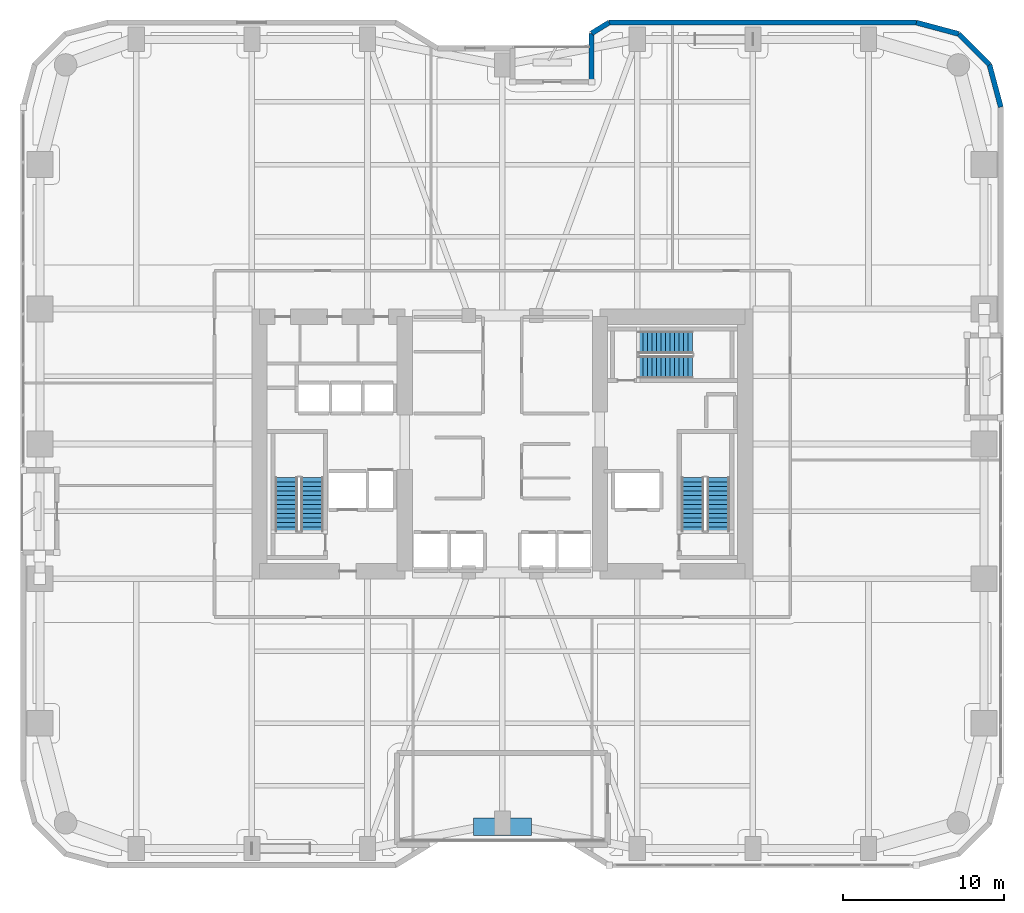
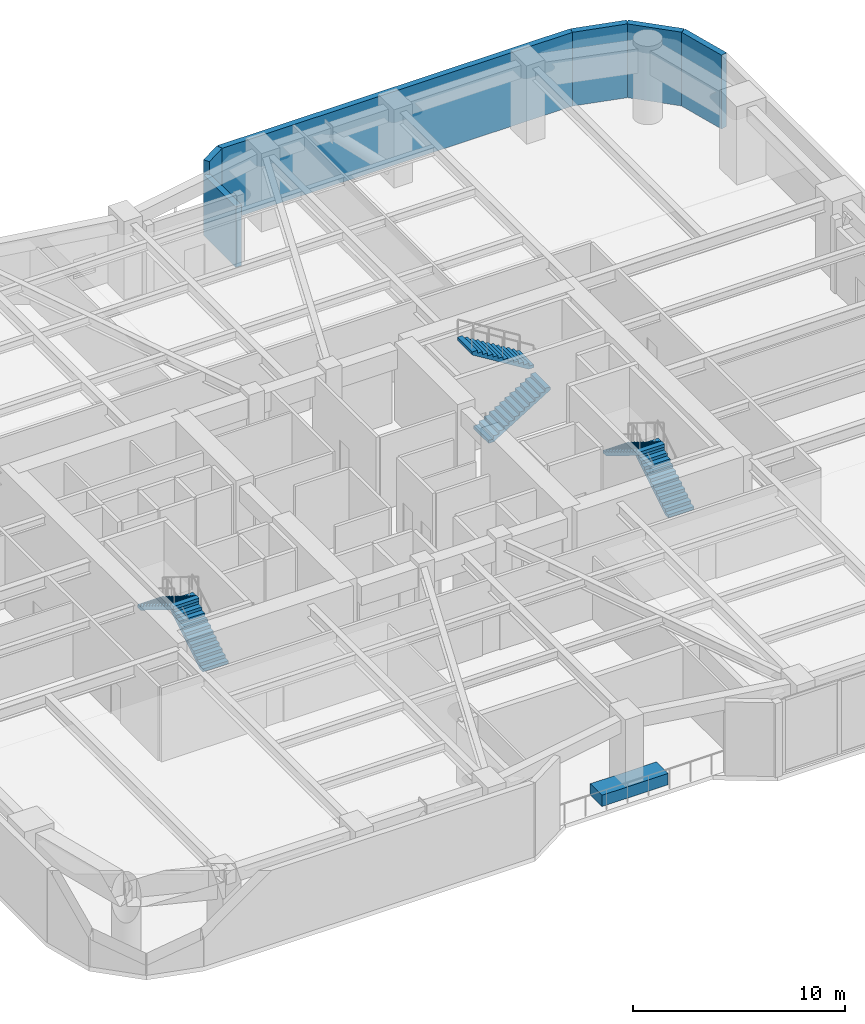
# One storey, part 20 of 25: 6 stair flights, 6 walls, 1 discrete accessory, 3 elements without a shape of their own.
"""IFC4 building model written with IfcOpenShell, lengths in metres."""

from ifc_helpers import new_model, si_unit, direction, frame, frame_2d, origin, origin_2d, place, context, subcontext, project, spatial, polyline, rectangle, outline, extrude, material, layer, layer_set, type_object, element, aggregate, save


model = new_model("IFC4")

# Units and contexts
model_context = context("Model", 3, precision=1e-05, world=origin(), true_north=direction((0.0, 1.0)))
body_context = subcontext(model_context, "Body", "Model", "MODEL_VIEW")
ifc_project = project(units=[si_unit("LENGTHUNIT", "METRE"), si_unit("AREAUNIT", "SQUARE_METRE"), si_unit("VOLUMEUNIT", "CUBIC_METRE"), si_unit("PLANEANGLEUNIT", "RADIAN"), si_unit("MASSUNIT", "GRAM", prefix="KILO")], contexts=[model_context])

# Site, building, storey
site_placement = place(None, origin())
site = spatial("IfcSite", under=ifc_project, at=site_placement, CompositionType="ELEMENT")
building_placement = place(site_placement, origin())
building = spatial("IfcBuilding", under=site, at=building_placement, Name="Kiyonajd Concourse Tower", CompositionType="ELEMENT")
storey_placement = place(building_placement, frame((0.0, 0.0, 68.39990234375)))
storey = spatial("IfcBuildingStorey", under=building, at=storey_placement, Name="L18", CompositionType="ELEMENT", Elevation=68.39990234375)

# Walls
ifc_material_1 = material(Name="Precast concrete C50/60", Category="concrete")
ifc_layer = layer(ifc_material_1, 0.320068359375)
ifc_layer_set = layer_set([ifc_layer], Name="Precast concrete C50/60")
wall_type = type_object("IfcWallType", Name="WL-EXT-320", PredefinedType="SOLIDWALL", material=ifc_layer_set)
wall_1_placement = place(storey_placement, frame((78.33349609375, 59.6171875, 0.0), z_axis=(0.0, 0.0, 1.0), x_axis=(0.25869736047, -0.965958423373, 0.0)))
element("IfcWall", 1, at=wall_1_placement, inside=storey, type_object=wall_type, Name="L18 Exterior Concrete Frame Wall 00", PredefinedType="SOLIDWALL", context=body_context, shape_type="SweptSolid", body=[
    extrude(rectangle(XDim=2.731201171875, YDim=0.320068359375, at=frame_2d((1.36572265625, 0.0))), origin(), (0.0, 0.0, 1.0), 4.239990234375),
])
wall_2_placement = place(storey_placement, frame((53.56005859375, 58.5400390625, 0.0), z_axis=(0.0, 0.0, 1.0), x_axis=(0.0, 1.0, 0.0)))
element("IfcWall", 2, at=wall_2_placement, inside=storey, type_object=wall_type, Name="L18 Exterior Concrete Frame Wall 34", PredefinedType="SOLIDWALL", context=body_context, shape_type="SweptSolid", body=[
    extrude(rectangle(XDim=3.032470703125, YDim=0.320068359375, at=frame_2d((1.51611328125, 0.0))), origin(), (0.0, 0.0, 1.0), 3.47509765625),
])
wall_3_placement = place(storey_placement, frame((53.56005859375, 61.572509765625, 0.0), z_axis=(0.0, 0.0, 1.0), x_axis=(0.851776724646, 0.523904964045, 0.0)))
element("IfcWall", 3, at=wall_3_placement, inside=storey, type_object=wall_type, Name="L18 Exterior Concrete Frame Wall 35", PredefinedType="SOLIDWALL", context=body_context, shape_type="SweptSolid", body=[
    extrude(rectangle(XDim=1.274169921875, YDim=0.320068359375, at=frame_2d((0.63720703125, 0.0))), origin(), (0.0, 0.0, 1.0), 4.239990234375),
])
wall_4_placement = place(storey_placement, frame((54.645263671875, 62.239990234375, 0.0), z_axis=(0.0, 0.0, 1.0), x_axis=(1.0, 0.0, 0.0)))
element("IfcWall", 4, at=wall_4_placement, inside=storey, type_object=wall_type, Name="L18 Exterior Concrete Frame Wall 36", PredefinedType="SOLIDWALL", context=body_context, shape_type="SweptSolid", body=[
    extrude(rectangle(XDim=19.133544921875, YDim=0.320068359375, at=frame_2d((9.56689453125, 0.0))), origin(), (0.0, 0.0, 1.0), 4.239990234375),
])
wall_5_placement = place(storey_placement, frame((73.77880859375, 62.239990234375, 0.0), z_axis=(0.0, 0.0, 1.0), x_axis=(0.965964405026, -0.25867502435, 0.0)))
element("IfcWall", 5, at=wall_5_placement, inside=storey, type_object=wall_type, Name="L18 Exterior Concrete Frame Wall 37", PredefinedType="SOLIDWALL", context=body_context, shape_type="SweptSolid", body=[
    extrude(rectangle(XDim=2.7314453125, YDim=0.320068359375, at=frame_2d((1.36572265625, 0.0))), origin(), (0.0, 0.0, 1.0), 4.239990234375),
])
wall_6_placement = place(storey_placement, frame((76.417236328125, 61.533447265625, 0.0), z_axis=(0.0, 0.0, 1.0), x_axis=(0.707106781187, -0.707106781187, 0.0)))
element("IfcWall", 6, at=wall_6_placement, inside=storey, type_object=wall_type, Name="L18 Exterior Concrete Frame Wall 38", PredefinedType="SOLIDWALL", context=body_context, shape_type="SweptSolid", body=[
    extrude(rectangle(XDim=2.7099609375, YDim=0.320068359375, at=frame_2d((1.35498046875, 0.0))), origin(), (0.0, 0.0, 1.0), 4.239990234375),
])

# Stair, stair flights
ifc_material_2 = material(Name="Concrete C40/50", Category="concrete")
stair_type = type_object("IfcStairType", Name="ST-DLG-26R", PredefinedType="HALF_TURN_STAIR", material=ifc_material_2)
stair_1_placement = place(storey_placement, origin())
stair_1 = element("IfcStair", 7, at=stair_1_placement, inside=storey, type_object=stair_type, Name="L18 Protected Exit Stair ST1", PredefinedType="HALF_TURN_STAIR")
stair_flight_type = type_object("IfcStairFlightType", Name="SF-STR-26R", PredefinedType="STRAIGHT", material=ifc_material_2)
stair_flight_1_placement = place(storey_placement, frame((36.14990234375, 30.550048828125, 0.0), z_axis=(0.0, 0.0, 1.0), x_axis=(0.0, 1.0, 0.0)))
stair_flight_1 = element("IfcStairFlight", 8, at=stair_flight_1_placement, type_object=stair_flight_type, Name="ST1 flight 1", NumberOfRisers=13, NumberOfTreads=12, PredefinedType="STRAIGHT", RiserHeight=0.173076923, TreadLength=0.28, context=body_context, shape_type="SweptSolid", body=[
    extrude(outline(polyline([(0.0, 0.0), (0.0, 0.173095703125), (0.280029296875, 0.173095703125), (0.280029296875, 0.34619140625), (0.56005859375, 0.34619140625), (0.56005859375, 0.519287109375), (0.840087890625, 0.519287109375), (0.840087890625, 0.6923828125), (1.1201171875, 0.6923828125), (1.1201171875, 0.865478515625), (1.39990234375, 0.865478515625), (1.39990234375, 1.03857421875), (1.679931640625, 1.03857421875), (1.679931640625, 1.21142578125), (1.9599609375, 1.21142578125), (1.9599609375, 1.384521484375), (2.239990234375, 1.384521484375), (2.239990234375, 1.5576171875), (2.52001953125, 1.5576171875), (2.52001953125, 1.730712890625), (2.800048828125, 1.730712890625), (2.800048828125, 1.90380859375), (3.080078125, 1.90380859375), (3.080078125, 2.076904296875), (3.360107421875, 2.076904296875), (3.360107421875, 2.25), (3.360107421875, 1.900634765625), (0.28515625, 0.0), (0.0, 0.0)])), frame((0.0, 0.699951171875, 0.0), z_axis=(0.0, -1.0, 0.0), x_axis=(1.0, 0.0, 0.0)), (0.0, 0.0, 1.0), 1.39990234375),
])
stair_flight_2_placement = place(storey_placement, frame((34.550048828125, 33.909912109375, 2.25), z_axis=(0.0, 0.0, 1.0), x_axis=(0.0, -1.0, 0.0)))
stair_flight_2 = element("IfcStairFlight", 9, at=stair_flight_2_placement, type_object=stair_flight_type, Name="ST1 flight 2", NumberOfRisers=13, NumberOfTreads=12, PredefinedType="STRAIGHT", RiserHeight=0.173076923, TreadLength=0.28, context=body_context, shape_type="SweptSolid", body=[
    extrude(outline(polyline([(0.0, 0.0), (0.0, 0.173095703125), (0.280029296875, 0.173095703125), (0.280029296875, 0.34619140625), (0.56005859375, 0.34619140625), (0.56005859375, 0.519287109375), (0.840087890625, 0.519287109375), (0.840087890625, 0.6923828125), (1.1201171875, 0.6923828125), (1.1201171875, 0.865478515625), (1.39990234375, 0.865478515625), (1.39990234375, 1.03857421875), (1.679931640625, 1.03857421875), (1.679931640625, 1.21142578125), (1.9599609375, 1.21142578125), (1.9599609375, 1.384521484375), (2.239990234375, 1.384521484375), (2.239990234375, 1.5576171875), (2.52001953125, 1.5576171875), (2.52001953125, 1.730712890625), (2.800048828125, 1.730712890625), (2.800048828125, 1.90380859375), (3.080078125, 1.90380859375), (3.080078125, 2.076904296875), (3.360107421875, 2.076904296875), (3.360107421875, 2.25), (3.360107421875, 1.900634765625), (0.28515625, 0.0), (0.0, 0.0)])), frame((0.0, 0.699951171875, 0.0), z_axis=(0.0, -1.0, 0.0), x_axis=(1.0, 0.0, 0.0)), (0.0, 0.0, 1.0), 1.39990234375),
])
aggregate(stair_1, [stair_flight_1, stair_flight_2])

stair_2_placement = place(storey_placement, origin())
stair_2 = element("IfcStair", 10, at=stair_2_placement, inside=storey, type_object=stair_type, Name="L18 Protected Exit Stair ST2", PredefinedType="HALF_TURN_STAIR")
stair_flight_3_placement = place(storey_placement, frame((61.449951171875, 30.550048828125, 0.0), z_axis=(0.0, 0.0, 1.0), x_axis=(0.0, 1.0, 0.0)))
stair_flight_3 = element("IfcStairFlight", 11, at=stair_flight_3_placement, type_object=stair_flight_type, Name="ST2 flight 1", NumberOfRisers=13, NumberOfTreads=12, PredefinedType="STRAIGHT", RiserHeight=0.173076923, TreadLength=0.28, context=body_context, shape_type="SweptSolid", body=[
    extrude(outline(polyline([(0.0, 0.0), (0.0, 0.173095703125), (0.280029296875, 0.173095703125), (0.280029296875, 0.34619140625), (0.56005859375, 0.34619140625), (0.56005859375, 0.519287109375), (0.840087890625, 0.519287109375), (0.840087890625, 0.6923828125), (1.1201171875, 0.6923828125), (1.1201171875, 0.865478515625), (1.39990234375, 0.865478515625), (1.39990234375, 1.03857421875), (1.679931640625, 1.03857421875), (1.679931640625, 1.21142578125), (1.9599609375, 1.21142578125), (1.9599609375, 1.384521484375), (2.239990234375, 1.384521484375), (2.239990234375, 1.5576171875), (2.52001953125, 1.5576171875), (2.52001953125, 1.730712890625), (2.800048828125, 1.730712890625), (2.800048828125, 1.90380859375), (3.080078125, 1.90380859375), (3.080078125, 2.076904296875), (3.360107421875, 2.076904296875), (3.360107421875, 2.25), (3.360107421875, 1.900634765625), (0.28515625, 0.0), (0.0, 0.0)])), frame((0.0, 0.699951171875, 0.0), z_axis=(0.0, -1.0, 0.0), x_axis=(1.0, 0.0, 0.0)), (0.0, 0.0, 1.0), 1.39990234375),
])
stair_flight_4_placement = place(storey_placement, frame((59.85009765625, 33.909912109375, 2.25), z_axis=(0.0, 0.0, 1.0), x_axis=(0.0, -1.0, 0.0)))
stair_flight_4 = element("IfcStairFlight", 12, at=stair_flight_4_placement, type_object=stair_flight_type, Name="ST2 flight 2", NumberOfRisers=13, NumberOfTreads=12, PredefinedType="STRAIGHT", RiserHeight=0.173076923, TreadLength=0.28, context=body_context, shape_type="SweptSolid", body=[
    extrude(outline(polyline([(0.0, 0.0), (0.0, 0.173095703125), (0.280029296875, 0.173095703125), (0.280029296875, 0.34619140625), (0.56005859375, 0.34619140625), (0.56005859375, 0.519287109375), (0.840087890625, 0.519287109375), (0.840087890625, 0.6923828125), (1.1201171875, 0.6923828125), (1.1201171875, 0.865478515625), (1.39990234375, 0.865478515625), (1.39990234375, 1.03857421875), (1.679931640625, 1.03857421875), (1.679931640625, 1.21142578125), (1.9599609375, 1.21142578125), (1.9599609375, 1.384521484375), (2.239990234375, 1.384521484375), (2.239990234375, 1.5576171875), (2.52001953125, 1.5576171875), (2.52001953125, 1.730712890625), (2.800048828125, 1.730712890625), (2.800048828125, 1.90380859375), (3.080078125, 1.90380859375), (3.080078125, 2.076904296875), (3.360107421875, 2.076904296875), (3.360107421875, 2.25), (3.360107421875, 1.900634765625), (0.28515625, 0.0), (0.0, 0.0)])), frame((0.0, 0.699951171875, 0.0), z_axis=(0.0, -1.0, 0.0), x_axis=(1.0, 0.0, 0.0)), (0.0, 0.0, 1.0), 1.39990234375),
])
aggregate(stair_2, [stair_flight_3, stair_flight_4])

stair_3_placement = place(storey_placement, origin())
stair_3 = element("IfcStair", 13, at=stair_3_placement, inside=storey, type_object=stair_type, Name="L18 Protected Exit Stair ST3", PredefinedType="HALF_TURN_STAIR")
stair_flight_5_placement = place(storey_placement, frame((56.47998046875, 40.780029296875, 0.0), z_axis=(0.0, 0.0, 1.0), x_axis=(1.0, 0.0, 0.0)))
stair_flight_5 = element("IfcStairFlight", 14, at=stair_flight_5_placement, type_object=stair_flight_type, Name="ST3 flight 1", NumberOfRisers=13, NumberOfTreads=12, PredefinedType="STRAIGHT", RiserHeight=0.173076923, TreadLength=0.28, context=body_context, shape_type="SweptSolid", body=[
    extrude(outline(polyline([(0.0, 0.0), (0.0, 0.173095703125), (0.280029296875, 0.173095703125), (0.280029296875, 0.34619140625), (0.56005859375, 0.34619140625), (0.56005859375, 0.519287109375), (0.840087890625, 0.519287109375), (0.840087890625, 0.6923828125), (1.1201171875, 0.6923828125), (1.1201171875, 0.865478515625), (1.39990234375, 0.865478515625), (1.39990234375, 1.03857421875), (1.679931640625, 1.03857421875), (1.679931640625, 1.21142578125), (1.9599609375, 1.21142578125), (1.9599609375, 1.384521484375), (2.239990234375, 1.384521484375), (2.239990234375, 1.5576171875), (2.52001953125, 1.5576171875), (2.52001953125, 1.730712890625), (2.800048828125, 1.730712890625), (2.800048828125, 1.90380859375), (3.080078125, 1.90380859375), (3.080078125, 2.076904296875), (3.360107421875, 2.076904296875), (3.360107421875, 2.25), (3.360107421875, 1.900634765625), (0.28515625, 0.0), (0.0, 0.0)])), frame((0.0, 0.699951171875, 0.0), z_axis=(0.0, -1.0, 0.0), x_axis=(1.0, 0.0, 0.0)), (0.0, 0.0, 1.0), 1.39990234375),
])
stair_flight_6_placement = place(storey_placement, frame((59.840087890625, 42.320068359375, 2.25), z_axis=(0.0, 0.0, 1.0), x_axis=(-1.0, 0.0, 0.0)))
stair_flight_6 = element("IfcStairFlight", 15, at=stair_flight_6_placement, type_object=stair_flight_type, Name="ST3 flight 2", NumberOfRisers=13, NumberOfTreads=12, PredefinedType="STRAIGHT", RiserHeight=0.173076923, TreadLength=0.28, context=body_context, shape_type="SweptSolid", body=[
    extrude(outline(polyline([(0.0, 0.0), (0.0, 0.173095703125), (0.280029296875, 0.173095703125), (0.280029296875, 0.34619140625), (0.56005859375, 0.34619140625), (0.56005859375, 0.519287109375), (0.840087890625, 0.519287109375), (0.840087890625, 0.6923828125), (1.1201171875, 0.6923828125), (1.1201171875, 0.865478515625), (1.39990234375, 0.865478515625), (1.39990234375, 1.03857421875), (1.679931640625, 1.03857421875), (1.679931640625, 1.21142578125), (1.9599609375, 1.21142578125), (1.9599609375, 1.384521484375), (2.239990234375, 1.384521484375), (2.239990234375, 1.5576171875), (2.52001953125, 1.5576171875), (2.52001953125, 1.730712890625), (2.800048828125, 1.730712890625), (2.800048828125, 1.90380859375), (3.080078125, 1.90380859375), (3.080078125, 2.076904296875), (3.360107421875, 2.076904296875), (3.360107421875, 2.25), (3.360107421875, 1.900634765625), (0.28515625, 0.0), (0.0, 0.0)])), frame((0.0, 0.699951171875, 0.0), z_axis=(0.0, -1.0, 0.0), x_axis=(1.0, 0.0, 0.0)), (0.0, 0.0, 1.0), 1.39990234375),
])
aggregate(stair_3, [stair_flight_5, stair_flight_6])

# Discrete accessory
discrete_accessory_type = type_object("IfcDiscreteAccessoryType", Name="DA-PLN-BOX", PredefinedType="USERDEFINED", material=ifc_material_1)
discrete_accessory_placement = place(storey_placement, frame((48.0, 12.14990234375, 0.000244140625), z_axis=(0.0, 0.0, 1.0), x_axis=(1.0, 0.0, 0.0)))
element("IfcDiscreteAccessory", 16, at=discrete_accessory_placement, inside=storey, type_object=discrete_accessory_type, Name="L18 South Ribbon Sky Garden Xeriscape Planter", ObjectType="PLANTER", PredefinedType="USERDEFINED", context=body_context, shape_type="SweptSolid", body=[
    extrude(rectangle(XDim=3.60009765625, YDim=1.10009765625, at=origin_2d()), origin(), (0.0, 0.0, 1.0), 0.64990234375),
])

save(model, "model.ifc")
